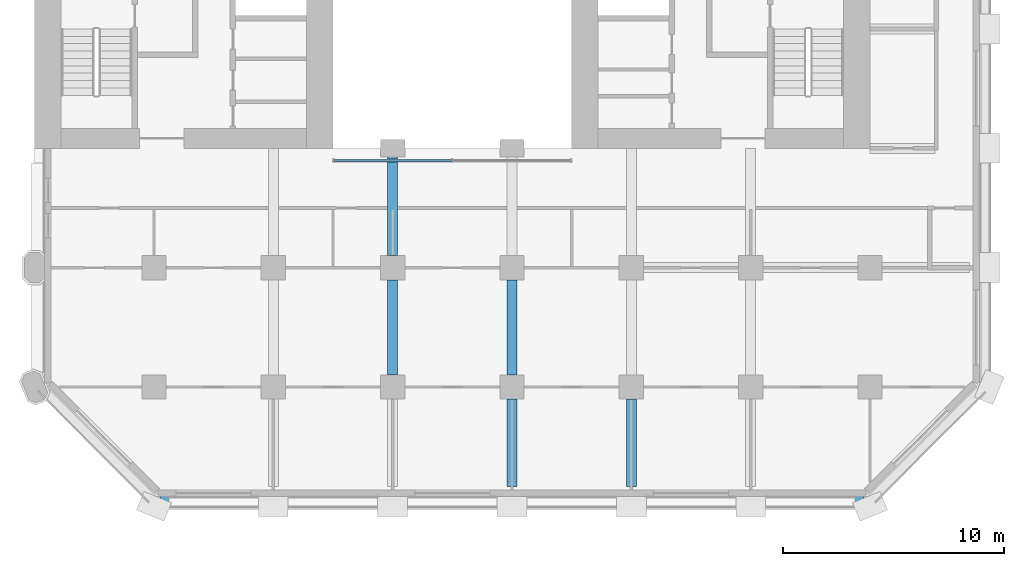
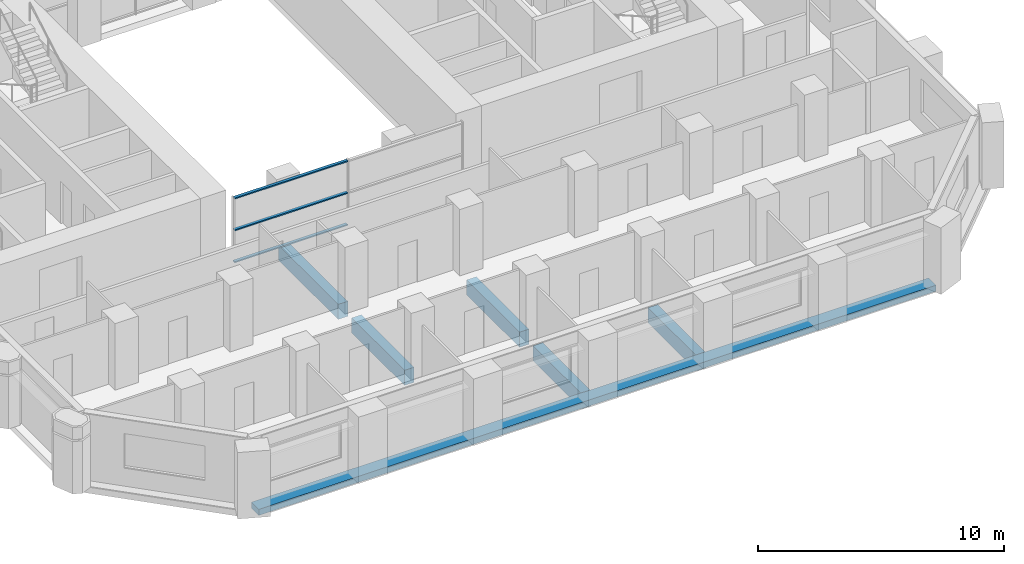
# One storey, part 3 of 13: 6 beams, 3 members, 1 element without a shape of its own.
"""IFC4 building model written with IfcOpenShell, lengths in metres."""

from ifc_helpers import new_model, si_unit, direction, frame, origin, origin_2d, place, context, subcontext, project, spatial, rectangle, extrude, material, material_profile, profile_set, type_object, element, aggregate, save


model = new_model("IFC4")

# Units and contexts
model_context = context("Model", 3, precision=1e-05, world=origin(), true_north=direction((0.0, 1.0)))
body_context = subcontext(model_context, "Body", "Model", "MODEL_VIEW")
ifc_project = project(units=[si_unit("LENGTHUNIT", "METRE"), si_unit("AREAUNIT", "SQUARE_METRE"), si_unit("VOLUMEUNIT", "CUBIC_METRE"), si_unit("PLANEANGLEUNIT", "RADIAN"), si_unit("MASSUNIT", "GRAM", prefix="KILO")], contexts=[model_context])

# Site, building, storey
site_placement = place(None, origin())
site = spatial("IfcSite", under=ifc_project, at=site_placement, CompositionType="ELEMENT")
building_placement = place(site_placement, origin())
building = spatial("IfcBuilding", under=site, at=building_placement, Name="Tabaq Tower and Sports Hall", CompositionType="ELEMENT")
storey_placement = place(building_placement, frame((0.0, 0.0, 56.39990234375)))
storey = spatial("IfcBuildingStorey", under=building, at=storey_placement, Name="L12", CompositionType="ELEMENT", Elevation=56.39990234375)

# Curtain wall, members
ifc_material_1 = material(Name="Aluminium alloy 6063-T6 framed glazing", Category="aluminium")
curtain_wall_type = type_object("IfcCurtainWallType", Name="CW1 curtain wall", PredefinedType="USERDEFINED", material=ifc_material_1)
curtain_wall_placement = place(storey_placement, origin())
curtain_wall = element("IfcCurtainWall", 1, at=curtain_wall_placement, inside=storey, type_object=curtain_wall_type, Name="Atrium glazing L12 S", ObjectType="ATRIUM ENCLOSURE", PredefinedType="USERDEFINED")
ifc_material_2 = material(Name="Aluminium alloy 6063-T6", Category="aluminium")
ifc_material_profile_1 = material_profile(ifc_material_2, rectangle(XDim=0.139892578125, YDim=0.06005859375, at=origin_2d()), Name="TRANSOM 140x60")
ifc_profile_set_1 = profile_set([ifc_material_profile_1], Name="Aluminium alloy 6063-T6")
member_type = type_object("IfcMemberType", Name="CW1 transom 140x60", PredefinedType="USERDEFINED", material=ifc_profile_set_1)
member_1_placement = place(storey_placement, frame((18.9599609375, 15.64990234375, 0.070068359375), z_axis=(1.0, 0.0, 0.0), x_axis=(0.0, 1.0, 0.0)))
member_1 = element("IfcMember", 2, at=member_1_placement, type_object=member_type, Name="CW1 transom 1.1", ObjectType="TRANSOM", PredefinedType="USERDEFINED", context=body_context, shape_type="SweptSolid", body=[
    extrude(rectangle(XDim=0.139892578125, YDim=0.06005859375, at=origin_2d()), origin(), (0.0, 0.0, 1.0), 5.31005859375),
])
member_2_placement = place(storey_placement, frame((18.9599609375, 15.64990234375, 1.650146484375), z_axis=(1.0, 0.0, 0.0), x_axis=(0.0, 1.0, 0.0)))
member_2 = element("IfcMember", 3, at=member_2_placement, type_object=member_type, Name="CW1 transom 1.2", ObjectType="TRANSOM", PredefinedType="USERDEFINED", context=body_context, shape_type="SweptSolid", body=[
    extrude(rectangle(XDim=0.139892578125, YDim=0.06005859375, at=origin_2d()), origin(), (0.0, 0.0, 1.0), 5.31005859375),
])
member_3_placement = place(storey_placement, frame((18.9599609375, 15.64990234375, 3.22998046875), z_axis=(1.0, 0.0, 0.0), x_axis=(0.0, 1.0, 0.0)))
member_3 = element("IfcMember", 4, at=member_3_placement, type_object=member_type, Name="CW1 transom 1.3", ObjectType="TRANSOM", PredefinedType="USERDEFINED", context=body_context, shape_type="SweptSolid", body=[
    extrude(rectangle(XDim=0.139892578125, YDim=0.06005859375, at=origin_2d()), origin(), (0.0, 0.0, 1.0), 5.31005859375),
])
aggregate(curtain_wall, [member_1, member_2, member_3])

# Beams
ifc_material_3 = material(Name="Concrete C40/50", Category="concrete")
ifc_material_profile_2 = material_profile(ifc_material_3, rectangle(XDim=0.449951171875, YDim=0.75, at=origin_2d()), Name="CB 450x750")
ifc_profile_set_2 = profile_set([ifc_material_profile_2], Name="Concrete C40/50")
beam_type_1 = type_object("IfcBeamType", Name="PT CANTILEVER BEAM CB 450x750 C40/50", PredefinedType="BEAM", material=ifc_profile_set_2)
beam_1_placement = place(storey_placement, frame((21.60009765625, 5.949951171875, -0.6748046875), z_axis=(0.0, 1.0, 0.0), x_axis=(-1.0, 0.0, 0.0)))
element("IfcBeam", 5, at=beam_1_placement, inside=storey, type_object=beam_type_1, Name="Cantilever Beam L12 S4 span 2", PredefinedType="BEAM", context=body_context, shape_type="SweptSolid", body=[
    extrude(rectangle(XDim=0.449951171875, YDim=0.75, at=origin_2d()), origin(), (0.0, 0.0, 1.0), 4.300048828125),
])
beam_2_placement = place(storey_placement, frame((21.60009765625, 11.35009765625, -0.6748046875), z_axis=(0.0, 1.0, 0.0), x_axis=(-1.0, 0.0, 0.0)))
element("IfcBeam", 6, at=beam_2_placement, inside=storey, type_object=beam_type_1, Name="Cantilever Beam L12 S4 span 3", PredefinedType="BEAM", context=body_context, shape_type="SweptSolid", body=[
    extrude(rectangle(XDim=0.449951171875, YDim=0.75, at=origin_2d()), origin(), (0.0, 0.0, 1.0), 4.849853515625),
])
beam_3_placement = place(storey_placement, frame((27.0, 0.89990234375, -0.6748046875), z_axis=(0.0, 1.0, 0.0), x_axis=(-1.0, 0.0, 0.0)))
element("IfcBeam", 7, at=beam_3_placement, inside=storey, type_object=beam_type_1, Name="Cantilever Beam L12 S5 span 1", PredefinedType="BEAM", context=body_context, shape_type="SweptSolid", body=[
    extrude(rectangle(XDim=0.449951171875, YDim=0.75, at=origin_2d()), origin(), (0.0, 0.0, 1.0), 3.9501953125),
])
beam_4_placement = place(storey_placement, frame((27.0, 5.949951171875, -0.6748046875), z_axis=(0.0, 1.0, 0.0), x_axis=(-1.0, 0.0, 0.0)))
element("IfcBeam", 8, at=beam_4_placement, inside=storey, type_object=beam_type_1, Name="Cantilever Beam L12 S5 span 2", PredefinedType="BEAM", context=body_context, shape_type="SweptSolid", body=[
    extrude(rectangle(XDim=0.449951171875, YDim=0.75, at=origin_2d()), origin(), (0.0, 0.0, 1.0), 4.300048828125),
])
beam_5_placement = place(storey_placement, frame((32.39990234375, 0.89990234375, -0.6748046875), z_axis=(0.0, 1.0, 0.0), x_axis=(-1.0, 0.0, 0.0)))
element("IfcBeam", 9, at=beam_5_placement, inside=storey, type_object=beam_type_1, Name="Cantilever Beam L12 S6 span 1", PredefinedType="BEAM", context=body_context, shape_type="SweptSolid", body=[
    extrude(rectangle(XDim=0.449951171875, YDim=0.75, at=origin_2d()), origin(), (0.0, 0.0, 1.0), 3.9501953125),
])
ifc_material_4 = material(Name="Concrete C40/50", Category="concrete")
ifc_material_profile_3 = material_profile(ifc_material_4, rectangle(XDim=0.60009765625, YDim=0.300048828125, at=origin_2d()), Name="EB 600x300")
ifc_profile_set_3 = profile_set([ifc_material_profile_3], Name="Concrete C40/50")
beam_type_2 = type_object("IfcBeamType", Name="PT EDGE BEAM EB 600x300 C40/50", PredefinedType="SPANDREL", material=ifc_profile_set_3)
beam_6_placement = place(storey_placement, frame((11.0986328125, 0.300048828125, -0.14990234375), z_axis=(1.0, 0.0, 0.0), x_axis=(0.0, 1.0, 0.0)))
element("IfcBeam", 10, at=beam_6_placement, inside=storey, type_object=beam_type_2, Name="Edge Beam L12 1", PredefinedType="SPANDREL", context=body_context, shape_type="SweptSolid", body=[
    extrude(rectangle(XDim=0.60009765625, YDim=0.300048828125, at=origin_2d()), origin(), (0.0, 0.0, 1.0), 31.802734375),
])

save(model, "model.ifc")
